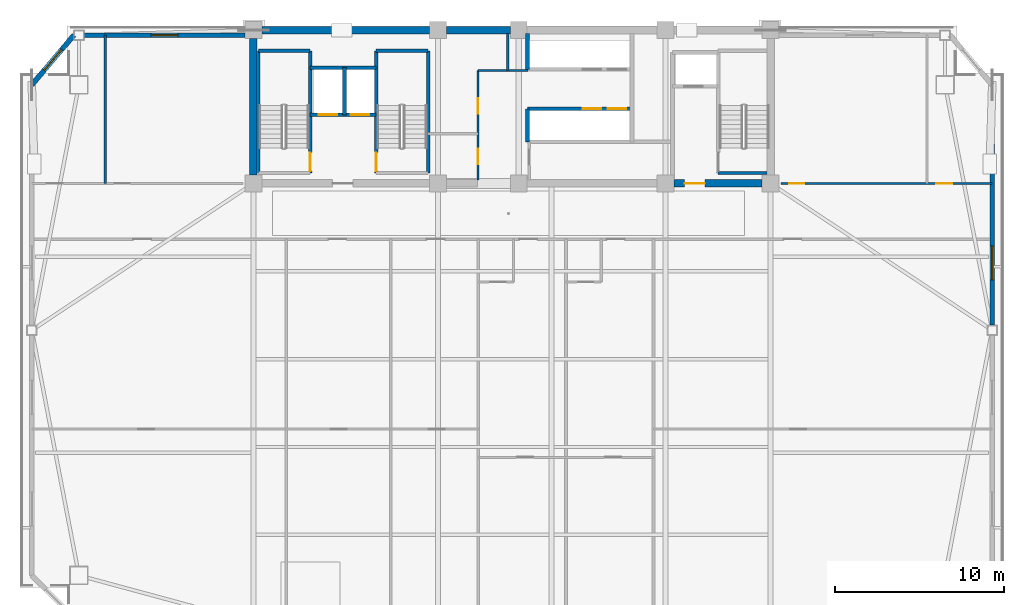
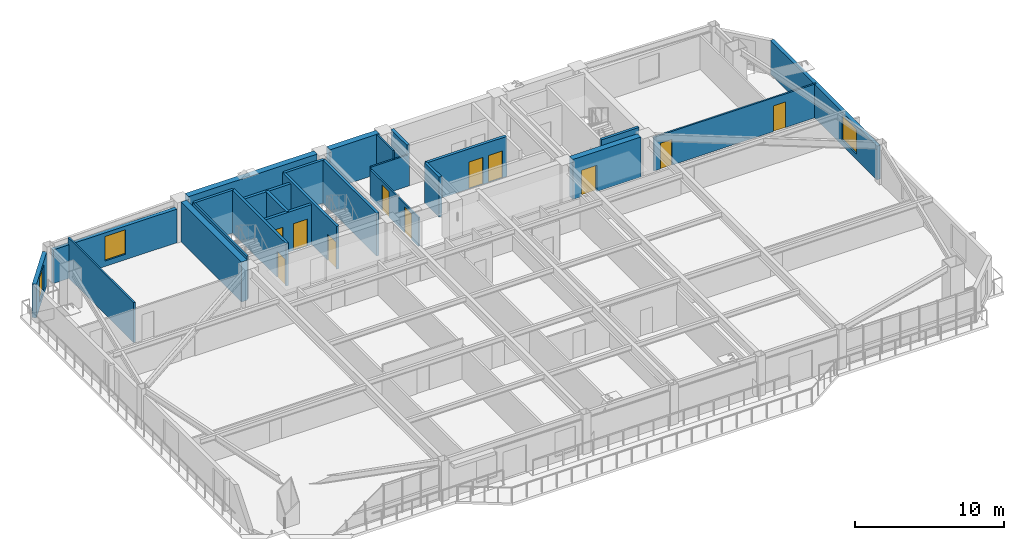
# One storey, part 10 of 17: 25 walls, 11 doors, 3 windows, 14 openings.
"""IFC4 building model written with IfcOpenShell, lengths in metres."""

from ifc_helpers import new_model, si_unit, direction, frame, frame_2d, origin, place, context, subcontext, project, spatial, rectangle, extrude, source, transform, mapped, material, layer, layer_set, type_object, element, fill, save


model = new_model("IFC4")

# Units and contexts
model_context = context("Model", 3, precision=1e-05, world=origin(), true_north=direction((0.0, 1.0)))
body_context = subcontext(model_context, "Body", "Model", "MODEL_VIEW")
ifc_project = project(units=[si_unit("LENGTHUNIT", "METRE"), si_unit("AREAUNIT", "SQUARE_METRE"), si_unit("VOLUMEUNIT", "CUBIC_METRE"), si_unit("PLANEANGLEUNIT", "RADIAN"), si_unit("MASSUNIT", "GRAM", prefix="KILO")], contexts=[model_context])

# Site, building, storey
site_placement = place(None, origin())
site = spatial("IfcSite", under=ifc_project, at=site_placement, CompositionType="ELEMENT")
building_placement = place(site_placement, origin())
building = spatial("IfcBuilding", under=site, at=building_placement, Name="Giltprow Tower", CompositionType="ELEMENT")
storey_placement = place(building_placement, frame((0.0, 0.0, 202.699951171875)))
storey = spatial("IfcBuildingStorey", under=building, at=storey_placement, Name="L51", CompositionType="ELEMENT", Elevation=202.699951171875)

# Wall, opening, window
ifc_material_1 = material(Name="Precast concrete C40", Category="concrete")
ifc_layer_1 = layer(ifc_material_1, 0.300048828125, Name="Precast concrete C40")
ifc_layer_set_1 = layer_set([ifc_layer_1], Name="Precast concrete C40")
wall_type_1 = type_object("IfcWallType", Name="EW-NOTCH-CHAMFER-300", PredefinedType="SOLIDWALL", material=ifc_layer_set_1)
wall_1_placement = place(storey_placement, frame((9.202880859375, 46.25, 0.0), z_axis=(0.0, 0.0, 1.0), x_axis=(-0.646527923623, -0.762890322377, 0.0)))
wall_1 = element("IfcWall", 1, at=wall_1_placement, inside=storey, type_object=wall_type_1, Name="L51 Corner Notch Wall NW", PredefinedType="SOLIDWALL", context=body_context, shape_type="SweptSolid", body=[
    extrude(rectangle(XDim=3.86669921875, YDim=0.300048828125, at=frame_2d((1.933349609375, 0.0))), origin(), (0.0, 0.0, 1.0), 2.75),
])
opening_1_placement = place(wall_1_placement, frame((1.133056640625, 0.0, 0.449951171875)))
opening_1 = element("IfcOpeningElement", 2, at=opening_1_placement, cuts=wall_1, Name="Opening WN17", PredefinedType="OPENING", context=body_context, shape_type="SweptSolid", body=[
    extrude(rectangle(XDim=1.60009765625, YDim=2.0, at=frame_2d((0.800048828125, 1.0))), frame((0.0, 0.159912109375, 0.0), z_axis=(0.0, -1.0, 0.0), x_axis=(1.0, 0.0, 0.0)), (0.0, 0.0, 1.0), 0.320068359375),
])
ifc_material_2 = material(Name="Insulated glass", Category="glass")
window_type_1 = type_object("IfcWindowType", Name="WN-COR-1600x2000", PartitioningType="SINGLE_PANEL", PredefinedType="WINDOW", material=ifc_material_2)
shared_shape_1 = source(origin(), body_context, "Body", "SweptSolid", [
    extrude(rectangle(XDim=1.60009765625, YDim=2.0, at=frame_2d((0.800048828125, 1.0))), frame((0.0, 0.030029296875, 0.0), z_axis=(0.0, -1.0, 0.0), x_axis=(1.0, 0.0, 0.0)), (0.0, 0.0, 1.0), 0.06005859375),
])
window_1_placement = place(opening_1_placement, origin())
window_1 = element("IfcWindow", 3, at=window_1_placement, inside=storey, type_object=window_type_1, Name="L51 Corner Notch Window NW", OverallHeight=2.0, OverallWidth=1.60009765625, PartitioningType="SINGLE_PANEL", PredefinedType="WINDOW", context=body_context, shape_type="MappedRepresentation", body=[
    mapped(shared_shape_1, transform((0.0, 0.0, 0.0), x_axis=(1.0, 0.0, 0.0), y_axis=(0.0, 1.0, 0.0), z_axis=(0.0, 0.0, 1.0), scale=1.0)),
])
fill(opening_1, window_1)

ifc_layer_2 = layer(ifc_material_1, 0.280029296875, Name="Precast concrete C40")
ifc_layer_set_2 = layer_set([ifc_layer_2], Name="Precast concrete C40")
wall_type_2 = type_object("IfcWallType", Name="EW-TOW-BRONZE-280", PredefinedType="SOLIDWALL", material=ifc_layer_set_2)
wall_2_placement = place(storey_placement, frame((63.697998046875, 29.04296875, 0.0), z_axis=(0.0, 0.0, 1.0), x_axis=(0.0, 1.0, 0.0)))
wall_2 = element("IfcWall", 4, at=wall_2_placement, inside=storey, type_object=wall_type_2, Name="L51 E Wing Masonry Wall 2", PredefinedType="SOLIDWALL", context=body_context, shape_type="SweptSolid", body=[
    extrude(rectangle(XDim=14.257080078125, YDim=0.280029296875, at=frame_2d((7.12841796875, 0.0))), origin(), (0.0, 0.0, 1.0), 2.75),
])
opening_2_placement = place(wall_2_placement, frame((2.69189453125, 0.0, 0.449951171875)))
opening_2 = element("IfcOpeningElement", 5, at=opening_2_placement, cuts=wall_2, Name="Opening WN21", PredefinedType="OPENING", context=body_context, shape_type="SweptSolid", body=[
    extrude(rectangle(XDim=2.0, YDim=2.0, at=frame_2d((1.0, 1.0))), frame((0.0, 0.14990234375, 0.0), z_axis=(0.0, -1.0, 0.0), x_axis=(1.0, 0.0, 0.0)), (0.0, 0.0, 1.0), 0.300048828125),
])
window_type_2 = type_object("IfcWindowType", Name="WN-HTL-2000x2000", PartitioningType="DOUBLE_PANEL_VERTICAL", PredefinedType="WINDOW", material=ifc_material_2)
shared_shape_2 = source(origin(), body_context, "Body", "SweptSolid", [
    extrude(rectangle(XDim=2.0, YDim=2.0, at=frame_2d((1.0, 1.0))), frame((0.0, 0.030029296875, 0.0), z_axis=(0.0, -1.0, 0.0), x_axis=(1.0, 0.0, 0.0)), (0.0, 0.0, 1.0), 0.06005859375),
])
window_2_placement = place(opening_2_placement, origin())
window_2 = element("IfcWindow", 6, at=window_2_placement, inside=storey, type_object=window_type_2, Name="L51 E Wing Window 2-1", OverallHeight=2.0, OverallWidth=2.0, PartitioningType="SINGLE_PANEL", PredefinedType="WINDOW", context=body_context, shape_type="MappedRepresentation", body=[
    mapped(shared_shape_2, transform((0.0, 0.0, 0.0), x_axis=(1.0, 0.0, 0.0), y_axis=(0.0, 1.0, 0.0), z_axis=(0.0, 0.0, 1.0), scale=1.0)),
])
fill(opening_2, window_2)

wall_3_placement = place(storey_placement, frame((9.802978515625, 46.25, 0.0), z_axis=(0.0, 0.0, 1.0), x_axis=(1.0, 0.0, 0.0)))
wall_3 = element("IfcWall", 7, at=wall_3_placement, inside=storey, type_object=wall_type_2, Name="L51 North-West Wing Wall", PredefinedType="SOLIDWALL", context=body_context, shape_type="SweptSolid", body=[
    extrude(rectangle(XDim=9.547119140625, YDim=0.280029296875, at=frame_2d((4.7734375, 0.0))), origin(), (0.0, 0.0, 1.0), 2.75),
])
opening_3_placement = place(wall_3_placement, frame((3.97412109375, 0.0, 0.449951171875)))
opening_3 = element("IfcOpeningElement", 8, at=opening_3_placement, cuts=wall_3, Name="Opening WN17", PredefinedType="OPENING", context=body_context, shape_type="SweptSolid", body=[
    extrude(rectangle(XDim=1.60009765625, YDim=2.0, at=frame_2d((0.800048828125, 1.0))), frame((0.0, 0.14990234375, 0.0), z_axis=(0.0, -1.0, 0.0), x_axis=(1.0, 0.0, 0.0)), (0.0, 0.0, 1.0), 0.300048828125),
])
window_3_placement = place(opening_3_placement, origin())
window_3 = element("IfcWindow", 9, at=window_3_placement, inside=storey, type_object=window_type_1, Name="L51 North-West Window", OverallHeight=2.0, OverallWidth=1.60009765625, PartitioningType="SINGLE_PANEL", PredefinedType="WINDOW", context=body_context, shape_type="MappedRepresentation", body=[
    mapped(shared_shape_1, transform((0.0, 0.0, 0.0), x_axis=(1.0, 0.0, 0.0), y_axis=(0.0, 1.0, 0.0), z_axis=(0.0, 0.0, 1.0), scale=1.0)),
])
fill(opening_3, window_3)

# Wall, openings, doors
ifc_material_3 = material(Name="Concrete C40", Category="concrete")
ifc_layer_3 = layer(ifc_material_3, 0.219970703125, Name="Concrete C40")
ifc_layer_set_3 = layer_set([ifc_layer_3], Name="Concrete C40")
wall_type_3 = type_object("IfcWallType", Name="IW-SHAFT-220", PredefinedType="SOLIDWALL", material=ifc_layer_set_3)
wall_4_placement = place(storey_placement, frame((23.219970703125, 41.52001953125, 0.0), z_axis=(0.0, 0.0, 1.0), x_axis=(1.0, 0.0, 0.0)))
wall_4 = element("IfcWall", 10, at=wall_4_placement, inside=storey, type_object=wall_type_3, Name="L51 FFL1 and Service Lift Front Wall", PredefinedType="SOLIDWALL", context=body_context, shape_type="SweptSolid", body=[
    extrude(rectangle(XDim=3.919921875, YDim=0.219970703125, at=frame_2d((1.9599609375, 0.0))), origin(), (0.0, 0.0, 1.0), 3.27001953125),
])
opening_4_placement = place(wall_4_placement, frame((0.5, 0.0, 0.0)))
opening_4 = element("IfcOpeningElement", 11, at=opening_4_placement, cuts=wall_4, Name="Opening LD-11", PredefinedType="OPENING", context=body_context, shape_type="SweptSolid", body=[
    extrude(rectangle(XDim=1.10009765625, YDim=2.199951171875, at=frame_2d((0.550048828125, 1.10009765625))), frame((0.0, 0.119873046875, 0.0), z_axis=(0.0, -1.0, 0.0), x_axis=(1.0, 0.0, 0.0)), (0.0, 0.0, 1.0), 0.239990234375),
])
opening_5_placement = place(wall_4_placement, frame((2.39990234375, 0.0, 0.0)))
opening_5 = element("IfcOpeningElement", 12, at=opening_5_placement, cuts=wall_4, Name="Opening LD-11", PredefinedType="OPENING", context=body_context, shape_type="SweptSolid", body=[
    extrude(rectangle(XDim=1.10009765625, YDim=2.199951171875, at=frame_2d((0.550048828125, 1.10009765625))), frame((0.0, 0.119873046875, 0.0), z_axis=(0.0, -1.0, 0.0), x_axis=(1.0, 0.0, 0.0)), (0.0, 0.0, 1.0), 0.239990234375),
])
ifc_material_4 = material(Name="Stainless steel", Category="steel")
door_type_1 = type_object("IfcDoorType", Name="DR-LIFT-LD1100", OperationType="SLIDING_TO_LEFT", PredefinedType="DOOR", material=ifc_material_4)
shared_shape_3 = source(origin(), body_context, "Body", "SweptSolid", [
    extrude(rectangle(XDim=1.10009765625, YDim=2.199951171875, at=frame_2d((0.550048828125, 1.10009765625))), frame((0.0, 0.02490234375, 0.0), z_axis=(0.0, -1.0, 0.0), x_axis=(1.0, 0.0, 0.0)), (0.0, 0.0, 1.0), 0.050048828125),
])
door_1_placement = place(opening_4_placement, origin())
door_1 = element("IfcDoor", 13, at=door_1_placement, inside=storey, type_object=door_type_1, Name="L51 FFL1 Landing Door", OperationType="SLIDING_TO_LEFT", OverallHeight=2.199951171875, OverallWidth=1.10009765625, PredefinedType="DOOR", context=body_context, shape_type="MappedRepresentation", body=[
    mapped(shared_shape_3, transform((0.0, 0.0, 0.0), x_axis=(1.0, 0.0, 0.0), y_axis=(0.0, 1.0, 0.0), z_axis=(0.0, 0.0, 1.0), scale=1.0)),
])
fill(opening_4, door_1)
door_2_placement = place(opening_5_placement, origin())
door_2 = element("IfcDoor", 14, at=door_2_placement, inside=storey, type_object=door_type_1, Name="L51 SVL1 Landing Door", OperationType="SLIDING_TO_LEFT", OverallHeight=2.199951171875, OverallWidth=1.10009765625, PredefinedType="DOOR", context=body_context, shape_type="MappedRepresentation", body=[
    mapped(shared_shape_3, transform((0.0, 0.0, 0.0), x_axis=(1.0, 0.0, 0.0), y_axis=(0.0, 1.0, 0.0), z_axis=(0.0, 0.0, 1.0), scale=1.0)),
])
fill(opening_5, door_2)

# Walls
wall_5_placement = place(storey_placement, frame((25.260009765625, 41.52001953125, 0.0), z_axis=(0.0, 0.0, 1.0), x_axis=(0.0, 1.0, 0.0)))
element("IfcWall", 15, at=wall_5_placement, inside=storey, type_object=wall_type_3, Name="L51 FFL1-SVL1 Shaft Divider", PredefinedType="SOLIDWALL", context=body_context, shape_type="SweptSolid", body=[
    extrude(rectangle(XDim=2.800048828125, YDim=0.219970703125, at=frame_2d((1.39990234375, 0.0))), origin(), (0.0, 0.0, 1.0), 3.27001953125),
])
wall_6_placement = place(storey_placement, frame((23.219970703125, 44.320068359375, 0.0), z_axis=(0.0, 0.0, 1.0), x_axis=(1.0, 0.0, 0.0)))
element("IfcWall", 16, at=wall_6_placement, inside=storey, type_object=wall_type_3, Name="L51 FFL1-SVL1 Back Shaft Wall", PredefinedType="SOLIDWALL", context=body_context, shape_type="SweptSolid", body=[
    extrude(rectangle(XDim=3.919921875, YDim=0.219970703125, at=frame_2d((1.9599609375, 0.0))), origin(), (0.0, 0.0, 1.0), 3.27001953125),
])

# Wall, openings, doors
wall_7_placement = place(storey_placement, frame((36.1201171875, 41.8798828125, 0.0), z_axis=(0.0, 0.0, 1.0), x_axis=(1.0, 0.0, 0.0)))
wall_7 = element("IfcWall", 17, at=wall_7_placement, inside=storey, type_object=wall_type_3, Name="L51 Mid-Rise Lift Shaft Front Wall S", PredefinedType="SOLIDWALL", context=body_context, shape_type="SweptSolid", body=[
    extrude(rectangle(XDim=6.199951171875, YDim=0.219970703125, at=frame_2d((3.10009765625, 0.0))), origin(), (0.0, 0.0, 1.0), 3.27001953125),
])
opening_6_placement = place(wall_7_placement, frame((3.280029296875, 0.0, 0.0)))
opening_6 = element("IfcOpeningElement", 18, at=opening_6_placement, cuts=wall_7, Name="Opening LD-11", PredefinedType="OPENING", context=body_context, shape_type="SweptSolid", body=[
    extrude(rectangle(XDim=1.10009765625, YDim=2.199951171875, at=frame_2d((0.550048828125, 1.10009765625))), frame((0.0, 0.119873046875, 0.0), z_axis=(0.0, -1.0, 0.0), x_axis=(1.0, 0.0, 0.0)), (0.0, 0.0, 1.0), 0.239990234375),
])
opening_7_placement = place(wall_7_placement, frame((4.77001953125, 0.0, 0.0)))
opening_7 = element("IfcOpeningElement", 19, at=opening_7_placement, cuts=wall_7, Name="Opening LD-11", PredefinedType="OPENING", context=body_context, shape_type="SweptSolid", body=[
    extrude(rectangle(XDim=1.10009765625, YDim=2.199951171875, at=frame_2d((0.550048828125, 1.10009765625))), frame((0.0, 0.119873046875, 0.0), z_axis=(0.0, -1.0, 0.0), x_axis=(1.0, 0.0, 0.0)), (0.0, 0.0, 1.0), 0.239990234375),
])
door_3_placement = place(opening_6_placement, origin())
door_3 = element("IfcDoor", 20, at=door_3_placement, inside=storey, type_object=door_type_1, Name="L51 PL-M3 Landing Door", OperationType="SLIDING_TO_LEFT", OverallHeight=2.199951171875, OverallWidth=1.10009765625, PredefinedType="DOOR", context=body_context, shape_type="MappedRepresentation", body=[
    mapped(shared_shape_3, transform((0.0, 0.0, 0.0), x_axis=(1.0, 0.0, 0.0), y_axis=(0.0, 1.0, 0.0), z_axis=(0.0, 0.0, 1.0), scale=1.0)),
])
fill(opening_6, door_3)
door_4_placement = place(opening_7_placement, origin())
door_4 = element("IfcDoor", 21, at=door_4_placement, inside=storey, type_object=door_type_1, Name="L51 PL-M4 Landing Door", OperationType="SLIDING_TO_LEFT", OverallHeight=2.199951171875, OverallWidth=1.10009765625, PredefinedType="DOOR", context=body_context, shape_type="MappedRepresentation", body=[
    mapped(shared_shape_3, transform((0.0, 0.0, 0.0), x_axis=(1.0, 0.0, 0.0), y_axis=(0.0, 1.0, 0.0), z_axis=(0.0, 0.0, 1.0), scale=1.0)),
])
fill(opening_7, door_4)

# Walls
wall_8_placement = place(storey_placement, frame((36.1201171875, 39.919921875, 0.0), z_axis=(0.0, 0.0, 1.0), x_axis=(0.0, 1.0, 0.0)))
element("IfcWall", 22, at=wall_8_placement, inside=storey, type_object=wall_type_3, Name="L51 Mid-Rise South Lift West Closure", PredefinedType="SOLIDWALL", context=body_context, shape_type="SweptSolid", body=[
    extrude(rectangle(XDim=1.9599609375, YDim=0.219970703125, at=frame_2d((0.97998046875, 0.0))), origin(), (0.0, 0.0, 1.0), 3.27001953125),
])
wall_9_placement = place(storey_placement, frame((36.1201171875, 44.219970703125, 0.0), z_axis=(0.0, 0.0, 1.0), x_axis=(0.0, 1.0, 0.0)))
element("IfcWall", 23, at=wall_9_placement, inside=storey, type_object=wall_type_3, Name="L51 Mid-Rise North Lift West Closure", PredefinedType="SOLIDWALL", context=body_context, shape_type="SweptSolid", body=[
    extrude(rectangle(XDim=2.125, YDim=0.219970703125, at=frame_2d((1.0625, 0.0))), origin(), (0.0, 0.0, 1.0), 3.27001953125),
])
ifc_material_5 = material(Name="Concrete C45", Category="concrete")
ifc_layer_4 = layer(ifc_material_5, 0.139892578125, Name="Concrete C45")
ifc_layer_set_4 = layer_set([ifc_layer_4], Name="Concrete C45")
wall_type_4 = type_object("IfcWallType", Name="IW-STAIR-140", PredefinedType="SOLIDWALL", material=ifc_layer_set_4)
wall_10_placement = place(storey_placement, frame((20.169921875, 38.070068359375, 0.0), z_axis=(0.0, 0.0, 1.0), x_axis=(0.0, 1.0, 0.0)))
element("IfcWall", 24, at=wall_10_placement, inside=storey, type_object=wall_type_4, Name="L51 Stair ST-1 West Bearing Wall", PredefinedType="SOLIDWALL", context=body_context, shape_type="SweptSolid", body=[
    extrude(rectangle(XDim=7.25, YDim=0.139892578125, at=frame_2d((3.625, 0.0))), origin(), (0.0, 0.0, 1.0), 3.5),
])

# Wall, opening, door
ifc_layer_5 = layer(ifc_material_3, 0.199951171875, Name="Concrete C40")
ifc_layer_set_5 = layer_set([ifc_layer_5], Name="Concrete C40")
wall_type_5 = type_object("IfcWallType", Name="IW-STAIR-200", PredefinedType="SOLIDWALL", material=ifc_layer_set_5)
wall_11_placement = place(storey_placement, frame((23.219970703125, 38.070068359375, 0.0), z_axis=(0.0, 0.0, 1.0), x_axis=(0.0, 1.0, 0.0)))
wall_11 = element("IfcWall", 25, at=wall_11_placement, inside=storey, type_object=wall_type_5, Name="L51 Stair ST-1 East Bearing Wall", PredefinedType="SOLIDWALL", context=body_context, shape_type="SweptSolid", body=[
    extrude(rectangle(XDim=7.25, YDim=0.199951171875, at=frame_2d((3.625, 0.0))), origin(), (0.0, 0.0, 1.0), 3.5),
])
opening_8_placement = place(wall_11_placement, frame((0.110107421875, 0.0, 0.0)))
opening_8 = element("IfcOpeningElement", 26, at=opening_8_placement, cuts=wall_11, Name="Opening ID33", PredefinedType="OPENING", context=body_context, shape_type="SweptSolid", body=[
    extrude(rectangle(XDim=1.10009765625, YDim=2.14990234375, at=frame_2d((0.550048828125, 1.074951171875))), frame((0.0, 0.10986328125, 0.0), z_axis=(0.0, -1.0, 0.0), x_axis=(1.0, 0.0, 0.0)), (0.0, 0.0, 1.0), 0.219970703125),
])
ifc_material_6 = material(Name="Steel fire leaf", Category="steel")
door_type_2 = type_object("IfcDoorType", Name="DR-STAIR-1100", OperationType="SINGLE_SWING_LEFT", PredefinedType="DOOR", material=ifc_material_6)
shared_shape_4 = source(origin(), body_context, "Body", "SweptSolid", [
    extrude(rectangle(XDim=1.10009765625, YDim=2.14990234375, at=frame_2d((0.550048828125, 1.074951171875))), frame((0.0, 0.02490234375, 0.0), z_axis=(0.0, -1.0, 0.0), x_axis=(1.0, 0.0, 0.0)), (0.0, 0.0, 1.0), 0.050048828125),
])
door_5_placement = place(opening_8_placement, origin())
door_5 = element("IfcDoor", 27, at=door_5_placement, inside=storey, type_object=door_type_2, Name="L51 Stair ST-1 Fire Door", OperationType="SINGLE_SWING_LEFT", OverallHeight=2.14990234375, OverallWidth=1.10009765625, PredefinedType="DOOR", context=body_context, shape_type="MappedRepresentation", body=[
    mapped(shared_shape_4, transform((0.0, 0.0, 0.0), x_axis=(1.0, 0.0, 0.0), y_axis=(0.0, 1.0, 0.0), z_axis=(0.0, 0.0, 1.0), scale=1.0)),
])
fill(opening_8, door_5)

# Wall
wall_12_placement = place(storey_placement, frame((20.169921875, 45.320068359375, 0.0), z_axis=(0.0, 0.0, 1.0), x_axis=(1.0, 0.0, 0.0)))
element("IfcWall", 28, at=wall_12_placement, inside=storey, type_object=wall_type_5, Name="L51 Stair ST-1 North Bearing Wall", PredefinedType="SOLIDWALL", context=body_context, shape_type="SweptSolid", body=[
    extrude(rectangle(XDim=3.050048828125, YDim=0.199951171875, at=frame_2d((1.52490234375, 0.0))), origin(), (0.0, 0.0, 1.0), 3.5),
])

# Wall, opening, door
wall_13_placement = place(storey_placement, frame((27.139892578125, 38.070068359375, 0.0), z_axis=(0.0, 0.0, 1.0), x_axis=(0.0, 1.0, 0.0)))
wall_13 = element("IfcWall", 29, at=wall_13_placement, inside=storey, type_object=wall_type_5, Name="L51 Stair ST-2 West Bearing Wall", PredefinedType="SOLIDWALL", context=body_context, shape_type="SweptSolid", body=[
    extrude(rectangle(XDim=7.25, YDim=0.199951171875, at=frame_2d((3.625, 0.0))), origin(), (0.0, 0.0, 1.0), 3.5),
])
opening_9_placement = place(wall_13_placement, frame((0.110107421875, 0.0, 0.0)))
opening_9 = element("IfcOpeningElement", 30, at=opening_9_placement, cuts=wall_13, Name="Opening ID33", PredefinedType="OPENING", context=body_context, shape_type="SweptSolid", body=[
    extrude(rectangle(XDim=1.10009765625, YDim=2.14990234375, at=frame_2d((0.550048828125, 1.074951171875))), frame((0.0, 0.10986328125, 0.0), z_axis=(0.0, -1.0, 0.0), x_axis=(1.0, 0.0, 0.0)), (0.0, 0.0, 1.0), 0.219970703125),
])
door_6_placement = place(opening_9_placement, origin())
door_6 = element("IfcDoor", 31, at=door_6_placement, inside=storey, type_object=door_type_2, Name="L51 Stair ST-2 Fire Door", OperationType="SINGLE_SWING_RIGHT", OverallHeight=2.14990234375, OverallWidth=1.10009765625, PredefinedType="DOOR", context=body_context, shape_type="MappedRepresentation", body=[
    mapped(shared_shape_4, transform((0.0, 0.0, 0.0), x_axis=(1.0, 0.0, 0.0), y_axis=(0.0, 1.0, 0.0), z_axis=(0.0, 0.0, 1.0), scale=1.0)),
])
fill(opening_9, door_6)

# Walls
wall_14_placement = place(storey_placement, frame((30.219970703125, 38.070068359375, 0.0), z_axis=(0.0, 0.0, 1.0), x_axis=(0.0, 1.0, 0.0)))
element("IfcWall", 32, at=wall_14_placement, inside=storey, type_object=wall_type_5, Name="L51 Stair ST-2 East Bearing Wall", PredefinedType="SOLIDWALL", context=body_context, shape_type="SweptSolid", body=[
    extrude(rectangle(XDim=7.25, YDim=0.199951171875, at=frame_2d((3.625, 0.0))), origin(), (0.0, 0.0, 1.0), 3.5),
])
wall_15_placement = place(storey_placement, frame((27.139892578125, 45.320068359375, 0.0), z_axis=(0.0, 0.0, 1.0), x_axis=(1.0, 0.0, 0.0)))
element("IfcWall", 33, at=wall_15_placement, inside=storey, type_object=wall_type_5, Name="L51 Stair ST-2 North Bearing Wall", PredefinedType="SOLIDWALL", context=body_context, shape_type="SweptSolid", body=[
    extrude(rectangle(XDim=3.080078125, YDim=0.199951171875, at=frame_2d((1.5400390625, 0.0))), origin(), (0.0, 0.0, 1.0), 3.5),
])
wall_16_placement = place(storey_placement, frame((47.43994140625, 38.070068359375, 0.0), z_axis=(0.0, 0.0, 1.0), x_axis=(1.0, 0.0, 0.0)))
element("IfcWall", 34, at=wall_16_placement, inside=storey, type_object=wall_type_5, Name="L51 Stair ST-3 South Bearing Wall", PredefinedType="SOLIDWALL", context=body_context, shape_type="SweptSolid", body=[
    extrude(rectangle(XDim=2.905029296875, YDim=0.199951171875, at=frame_2d((1.45263671875, 0.0))), origin(), (0.0, 0.0, 1.0), 3.5),
])

# Wall, openings, doors
ifc_material_7 = material(Name="Concrete C30", Category="concrete")
ifc_layer_6 = layer(ifc_material_7, 0.1298828125, Name="Concrete C30")
ifc_layer_set_6 = layer_set([ifc_layer_6], Name="Concrete C30")
wall_type_6 = type_object("IfcWallType", Name="IW-WET-130", PredefinedType="PARTITIONING", material=ifc_layer_set_6)
wall_17_placement = place(storey_placement, frame((33.179931640625, 37.655029296875, 0.0), z_axis=(0.0, 0.0, 1.0), x_axis=(0.0, 1.0, 0.0)))
wall_17 = element("IfcWall", 35, at=wall_17_placement, inside=storey, type_object=wall_type_6, Name="L51 Reclaimed Core Room East Wall", PredefinedType="PARTITIONING", context=body_context, shape_type="SweptSolid", body=[
    extrude(rectangle(XDim=6.494873046875, YDim=0.1298828125, at=frame_2d((3.24755859375, 0.0))), origin(), (0.0, 0.0, 1.0), 2.35498046875),
])
opening_10_placement = place(wall_17_placement, frame((0.945068359375, 0.0, 0.0)))
opening_10 = element("IfcOpeningElement", 36, at=opening_10_placement, cuts=wall_17, Name="Opening ID35", PredefinedType="OPENING", context=body_context, shape_type="SweptSolid", body=[
    extrude(rectangle(XDim=0.89990234375, YDim=2.10009765625, at=frame_2d((0.449951171875, 1.050048828125))), frame((0.0, 0.074951171875, 0.0), z_axis=(0.0, -1.0, 0.0), x_axis=(1.0, 0.0, 0.0)), (0.0, 0.0, 1.0), 0.14990234375),
])
opening_11_placement = place(wall_17_placement, frame((3.945068359375, 0.0, 0.0)))
opening_11 = element("IfcOpeningElement", 37, at=opening_11_placement, cuts=wall_17, Name="Opening ID35", PredefinedType="OPENING", context=body_context, shape_type="SweptSolid", body=[
    extrude(rectangle(XDim=0.89990234375, YDim=2.10009765625, at=frame_2d((0.449951171875, 1.050048828125))), frame((0.0, 0.074951171875, 0.0), z_axis=(0.0, -1.0, 0.0), x_axis=(1.0, 0.0, 0.0)), (0.0, 0.0, 1.0), 0.14990234375),
])
door_type_3 = type_object("IfcDoorType", Name="DR-SHAFT-900", OperationType="SINGLE_SWING_LEFT", PredefinedType="DOOR", material=ifc_material_6)
shared_shape_5 = source(origin(), body_context, "Body", "SweptSolid", [
    extrude(rectangle(XDim=0.89990234375, YDim=2.10009765625, at=frame_2d((0.449951171875, 1.050048828125))), frame((0.0, 0.02490234375, 0.0), z_axis=(0.0, -1.0, 0.0), x_axis=(1.0, 0.0, 0.0)), (0.0, 0.0, 1.0), 0.050048828125),
])
door_7_placement = place(opening_10_placement, origin())
door_7 = element("IfcDoor", 38, at=door_7_placement, inside=storey, type_object=door_type_3, Name="L51 Core Accessible WC Door", OperationType="SINGLE_SWING_RIGHT", OverallHeight=2.10009765625, OverallWidth=0.89990234375, PredefinedType="DOOR", context=body_context, shape_type="MappedRepresentation", body=[
    mapped(shared_shape_5, transform((0.0, 0.0, 0.0), x_axis=(1.0, 0.0, 0.0), y_axis=(0.0, 1.0, 0.0), z_axis=(0.0, 0.0, 1.0), scale=1.0)),
])
fill(opening_10, door_7)
door_8_placement = place(opening_11_placement, origin())
door_8 = element("IfcDoor", 39, at=door_8_placement, inside=storey, type_object=door_type_3, Name="L51 Housekeeping Room Door", OperationType="SINGLE_SWING_LEFT", OverallHeight=2.10009765625, OverallWidth=0.89990234375, PredefinedType="DOOR", context=body_context, shape_type="MappedRepresentation", body=[
    mapped(shared_shape_5, transform((0.0, 0.0, 0.0), x_axis=(1.0, 0.0, 0.0), y_axis=(0.0, 1.0, 0.0), z_axis=(0.0, 0.0, 1.0), scale=1.0)),
])
fill(opening_11, door_8)

# Walls
wall_18_placement = place(storey_placement, frame((34.949951171875, 44.14990234375, 0.0), z_axis=(0.0, 0.0, 1.0), x_axis=(0.0, 1.0, 0.0)))
element("IfcWall", 40, at=wall_18_placement, inside=storey, type_object=wall_type_6, Name="L51 Reclaimed North Pocket East Wall", PredefinedType="PARTITIONING", context=body_context, shape_type="SweptSolid", body=[
    extrude(rectangle(XDim=2.195068359375, YDim=0.1298828125, at=frame_2d((1.09765625, 0.0))), origin(), (0.0, 0.0, 1.0), 3.27001953125),
])
wall_19_placement = place(storey_placement, frame((33.179931640625, 44.14990234375, 0.0), z_axis=(0.0, 0.0, 1.0), x_axis=(1.0, 0.0, 0.0)))
element("IfcWall", 41, at=wall_19_placement, inside=storey, type_object=wall_type_6, Name="L51 Reclaimed North Pocket South Wall", PredefinedType="PARTITIONING", context=body_context, shape_type="SweptSolid", body=[
    extrude(rectangle(XDim=2.969970703125, YDim=0.1298828125, at=frame_2d((1.48486328125, 0.0))), origin(), (0.0, 0.0, 1.0), 2.554931640625),
])
wall_20_placement = place(storey_placement, frame((11.06689453125, 37.449951171875, 0.0), z_axis=(0.0, 0.0, 1.0), x_axis=(0.0, 1.0, 0.0)))
element("IfcWall", 42, at=wall_20_placement, inside=storey, type_object=wall_type_6, Name="L51 NW Wing Divider", PredefinedType="PARTITIONING", context=body_context, shape_type="SweptSolid", body=[
    extrude(rectangle(XDim=8.800048828125, YDim=0.1298828125, at=frame_2d((4.39990234375, 0.0))), origin(), (0.0, 0.0, 1.0), 3.27001953125),
])

# Wall, openings, doors
wall_21_placement = place(storey_placement, frame((51.14990234375, 37.449951171875, 0.0), z_axis=(0.0, 0.0, 1.0), x_axis=(1.0, 0.0, 0.0)))
wall_21 = element("IfcWall", 43, at=wall_21_placement, inside=storey, type_object=wall_type_6, Name="L51 NE Wing South Wall", PredefinedType="PARTITIONING", context=body_context, shape_type="SweptSolid", body=[
    extrude(rectangle(XDim=12.548095703125, YDim=0.1298828125, at=frame_2d((6.27392578125, 0.0))), origin(), (0.0, 0.0, 1.0), 2.755126953125),
])
opening_12_placement = place(wall_21_placement, frame((0.5, 0.0, 0.0)))
opening_12 = element("IfcOpeningElement", 44, at=opening_12_placement, cuts=wall_21, Name="Opening ID15", PredefinedType="OPENING", context=body_context, shape_type="SweptSolid", body=[
    extrude(rectangle(XDim=0.89990234375, YDim=2.10009765625, at=frame_2d((0.449951171875, 1.050048828125))), frame((0.0, 0.074951171875, 0.0), z_axis=(0.0, -1.0, 0.0), x_axis=(1.0, 0.0, 0.0)), (0.0, 0.0, 1.0), 0.14990234375),
])
opening_13_placement = place(wall_21_placement, frame((9.22412109375, 0.0, 0.0)))
opening_13 = element("IfcOpeningElement", 45, at=opening_13_placement, cuts=wall_21, Name="Opening ID11", PredefinedType="OPENING", context=body_context, shape_type="SweptSolid", body=[
    extrude(rectangle(XDim=0.949951171875, YDim=2.10009765625, at=frame_2d((0.47509765625, 1.050048828125))), frame((0.0, 0.074951171875, 0.0), z_axis=(0.0, -1.0, 0.0), x_axis=(1.0, 0.0, 0.0)), (0.0, 0.0, 1.0), 0.14990234375),
])
ifc_material_8 = material(Name="Engineered timber", Category="wood")
door_type_4 = type_object("IfcDoorType", Name="DR-WC-900", OperationType="SINGLE_SWING_LEFT", PredefinedType="DOOR", material=ifc_material_8)
door_9_placement = place(opening_12_placement, origin())
door_9 = element("IfcDoor", 46, at=door_9_placement, inside=storey, type_object=door_type_4, Name="L51 East Wing Washroom Door", OperationType="SINGLE_SWING_RIGHT", OverallHeight=2.10009765625, OverallWidth=0.89990234375, PredefinedType="DOOR", context=body_context, shape_type="MappedRepresentation", body=[
    mapped(shared_shape_5, transform((0.0, 0.0, 0.0), x_axis=(1.0, 0.0, 0.0), y_axis=(0.0, 1.0, 0.0), z_axis=(0.0, 0.0, 1.0), scale=1.0)),
])
fill(opening_12, door_9)
door_type_5 = type_object("IfcDoorType", Name="DR-ROOM-950", OperationType="SINGLE_SWING_RIGHT", PredefinedType="DOOR", material=ifc_material_8)
shared_shape_6 = source(origin(), body_context, "Body", "SweptSolid", [
    extrude(rectangle(XDim=0.949951171875, YDim=2.10009765625, at=frame_2d((0.47509765625, 1.050048828125))), frame((0.0, 0.02490234375, 0.0), z_axis=(0.0, -1.0, 0.0), x_axis=(1.0, 0.0, 0.0)), (0.0, 0.0, 1.0), 0.050048828125),
])
door_10_placement = place(opening_13_placement, origin())
door_10 = element("IfcDoor", 47, at=door_10_placement, inside=storey, type_object=door_type_5, Name="L51 Hotel Floor Linen Store Door", OperationType="SINGLE_SWING_RIGHT", OverallHeight=2.10009765625, OverallWidth=0.949951171875, PredefinedType="DOOR", context=body_context, shape_type="MappedRepresentation", body=[
    mapped(shared_shape_6, transform((0.0, 0.0, 0.0), x_axis=(1.0, 0.0, 0.0), y_axis=(0.0, 1.0, 0.0), z_axis=(0.0, 0.0, 1.0), scale=1.0)),
])
fill(opening_13, door_10)

# Walls
ifc_material_9 = material(Name="Concrete C50", Category="concrete")
ifc_layer_7 = layer(ifc_material_9, 0.449951171875, Name="Concrete C50")
ifc_layer_set_7 = layer_set([ifc_layer_7], Name="Concrete C50")
wall_type_7 = type_object("IfcWallType", Name="SW-EXT-450-C50", PredefinedType="SHEAR", material=ifc_layer_set_7)
wall_22_placement = place(storey_placement, frame((20.35009765625, 46.550048828125, 0.0), z_axis=(0.0, 0.0, 1.0), x_axis=(1.0, 0.0, 0.0)))
element("IfcWall", 48, at=wall_22_placement, inside=storey, type_object=wall_type_7, Name="L51 North Rear Core Shear Wall 1", PredefinedType="SHEAR", context=body_context, shape_type="SweptSolid", body=[
    extrude(rectangle(XDim=9.949951171875, YDim=0.449951171875, at=frame_2d((4.97509765625, 0.0))), origin(), (0.0, 0.0, 1.0), 3.27001953125),
])
wall_23_placement = place(storey_placement, frame((31.300048828125, 46.550048828125, 0.0), z_axis=(0.0, 0.0, 1.0), x_axis=(1.0, 0.0, 0.0)))
element("IfcWall", 49, at=wall_23_placement, inside=storey, type_object=wall_type_7, Name="L51 North Rear Core Shear Wall 2", PredefinedType="SHEAR", context=body_context, shape_type="SweptSolid", body=[
    extrude(rectangle(XDim=3.800048828125, YDim=0.449951171875, at=frame_2d((1.89990234375, 0.0))), origin(), (0.0, 0.0, 1.0), 3.27001953125),
])

# Wall, opening, door
ifc_layer_8 = layer(ifc_material_9, 0.449951171875, Name="Concrete C50")
ifc_layer_set_8 = layer_set([ifc_layer_8], Name="Concrete C50")
wall_type_8 = type_object("IfcWallType", Name="SW-INT-450-C50", PredefinedType="SHEAR", material=ifc_layer_set_8)
wall_24_placement = place(storey_placement, frame((44.800048828125, 37.449951171875, 0.0), z_axis=(0.0, 0.0, 1.0), x_axis=(1.0, 0.0, 0.0)))
wall_24 = element("IfcWall", 50, at=wall_24_placement, inside=storey, type_object=wall_type_8, Name="L51 South Rear Core Shear Wall East", PredefinedType="SHEAR", context=body_context, shape_type="SweptSolid", body=[
    extrude(rectangle(XDim=5.25, YDim=0.449951171875, at=frame_2d((2.625, 0.0))), origin(), (0.0, 0.0, 1.0), 3.27001953125),
])
opening_14_placement = place(wall_24_placement, frame((0.64990234375, 0.0, 0.0)))
opening_14 = element("IfcOpeningElement", 51, at=opening_14_placement, cuts=wall_24, Name="Opening ID19", PredefinedType="OPENING", context=body_context, shape_type="SweptSolid", body=[
    extrude(rectangle(XDim=1.199951171875, YDim=2.14990234375, at=frame_2d((0.60009765625, 1.074951171875))), frame((0.0, 0.23486328125, 0.0), z_axis=(0.0, -1.0, 0.0), x_axis=(1.0, 0.0, 0.0)), (0.0, 0.0, 1.0), 0.469970703125),
])
door_type_6 = type_object("IfcDoorType", Name="DR-FFLOBBY-1200", OperationType="SINGLE_SWING_RIGHT", PredefinedType="DOOR", material=ifc_material_6)
shared_shape_7 = source(origin(), body_context, "Body", "SweptSolid", [
    extrude(rectangle(XDim=1.199951171875, YDim=2.14990234375, at=frame_2d((0.60009765625, 1.074951171875))), frame((0.0, 0.02490234375, 0.0), z_axis=(0.0, -1.0, 0.0), x_axis=(1.0, 0.0, 0.0)), (0.0, 0.0, 1.0), 0.050048828125),
])
door_11_placement = place(opening_14_placement, origin())
door_11 = element("IfcDoor", 52, at=door_11_placement, inside=storey, type_object=door_type_6, Name="L51 East Firefighting Lobby Entry Door", OperationType="SINGLE_SWING_RIGHT", OverallHeight=2.14990234375, OverallWidth=1.199951171875, PredefinedType="DOOR", context=body_context, shape_type="MappedRepresentation", body=[
    mapped(shared_shape_7, transform((0.0, 0.0, 0.0), x_axis=(1.0, 0.0, 0.0), y_axis=(0.0, 1.0, 0.0), z_axis=(0.0, 0.0, 1.0), scale=1.0)),
])
fill(opening_14, door_11)

# Wall
wall_25_placement = place(storey_placement, frame((19.85009765625, 37.949951171875, 0.0), z_axis=(0.0, 0.0, 1.0), x_axis=(0.0, 1.0, 0.0)))
element("IfcWall", 53, at=wall_25_placement, inside=storey, type_object=wall_type_8, Name="L51 W Rear Core Shear Wall", PredefinedType="SHEAR", context=body_context, shape_type="SweptSolid", body=[
    extrude(rectangle(XDim=8.10009765625, YDim=0.449951171875, at=frame_2d((4.050048828125, 0.0))), origin(), (0.0, 0.0, 1.0), 3.27001953125),
])

save(model, "model.ifc")
